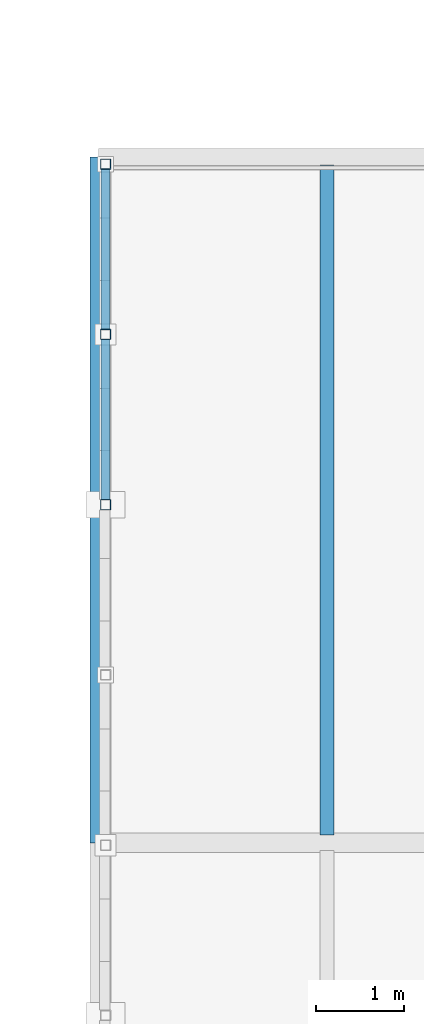
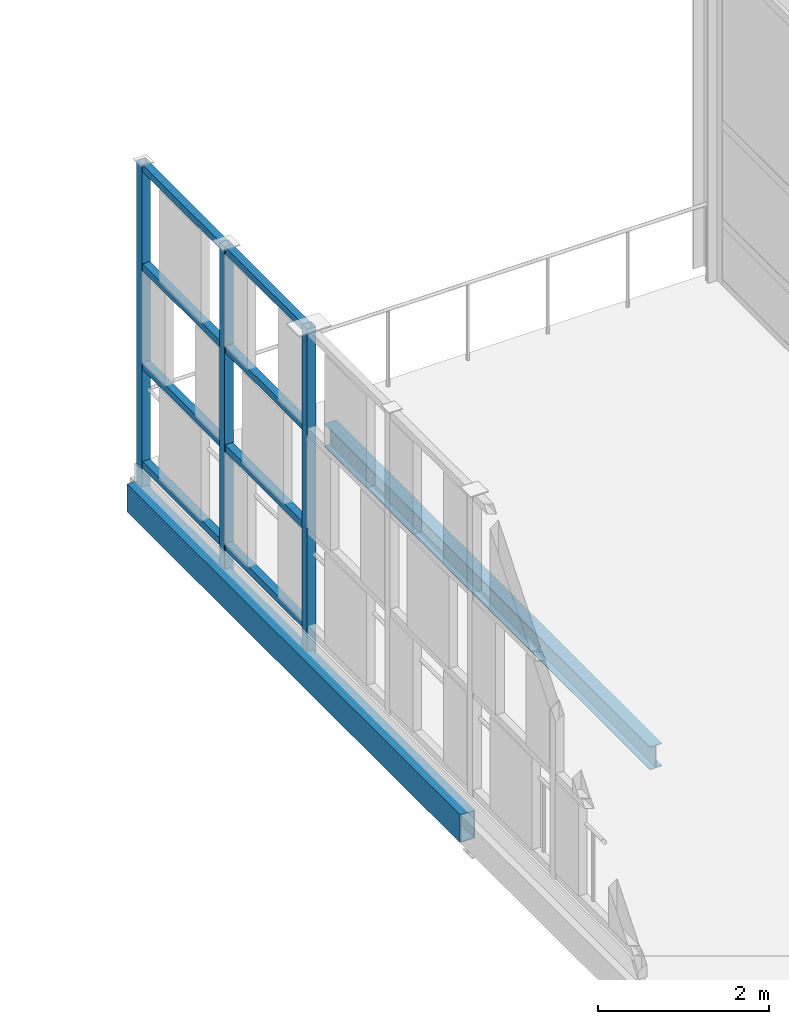
# One storey, part 53 of 138: 11 members, 2 beams.
"""IFC4 building model written with IfcOpenShell, lengths in metres."""

from ifc_helpers import new_model, si_unit, direction, frame, origin, origin_2d, place, context, subcontext, project, spatial, hollow_rectangle, i_section, extrude, material, material_profile, profile_set, type_object, element, save


model = new_model("IFC4")

# Units and contexts
model_context = context("Model", 3, precision=1e-05, world=origin(), true_north=direction((0.0, 1.0)))
body_context = subcontext(model_context, "Body", "Model", "MODEL_VIEW")
ifc_project = project(units=[si_unit("LENGTHUNIT", "METRE"), si_unit("AREAUNIT", "SQUARE_METRE"), si_unit("VOLUMEUNIT", "CUBIC_METRE"), si_unit("PLANEANGLEUNIT", "RADIAN"), si_unit("MASSUNIT", "GRAM", prefix="KILO")], contexts=[model_context])

# Site, building, storey
site_placement = place(None, origin())
site = spatial("IfcSite", under=ifc_project, at=site_placement, CompositionType="ELEMENT")
building_placement = place(site_placement, origin())
building = spatial("IfcBuilding", under=site, at=building_placement, Name="Celorna Specialist Clinic", CompositionType="ELEMENT")
storey_placement = place(building_placement, frame((0.0, 0.0, 4.800048828125)))
storey = spatial("IfcBuildingStorey", under=building, at=storey_placement, Name="L01", CompositionType="ELEMENT", Elevation=4.800048828125)

# Beams
ifc_material = material(Name="Steel S355", Category="steel")
ifc_material_profile_1 = material_profile(ifc_material, i_section(OverallWidth=0.159912109375, OverallDepth=0.330078125, WebThickness=0.007568359375, FlangeThickness=0.011474609375, at=origin_2d()), Name="IPE 330")
ifc_profile_set_1 = profile_set([ifc_material_profile_1], Name="Steel S355")
beam_type_1 = type_object("IfcBeamType", Name="BM-12", PredefinedType="JOIST", material=ifc_profile_set_1)
beam_1_placement = place(storey_placement, frame((127.39990234375, 75.68798828125, -0.425048828125), z_axis=(0.0, 1.0, 0.0), x_axis=(-1.0, 0.0, 0.0)))
element("IfcBeam", 1, at=beam_1_placement, inside=storey, type_object=beam_type_1, Name="Secondary floor joist BM-12 #2245", PredefinedType="JOIST", context=body_context, shape_type="SweptSolid", body=[
    extrude(i_section(OverallWidth=0.159912109375, OverallDepth=0.330078125, WebThickness=0.007568359375, FlangeThickness=0.011474609375, at=origin_2d()), origin(), (0.0, 0.0, 1.0), 7.6240234375),
])
ifc_material_profile_2 = material_profile(ifc_material, hollow_rectangle(XDim=0.199951171875, YDim=0.39990234375, WallThickness=0.011962890625, at=origin_2d()), Name="RHS 200x400x12")
ifc_profile_set_2 = profile_set([ifc_material_profile_2], Name="Steel S355")
beam_type_2 = type_object("IfcBeamType", Name="BM-15", PredefinedType="SPANDREL", material=ifc_profile_set_2)
beam_2_placement = place(storey_placement, frame((124.800048828125, 75.60009765625, -0.4599609375), z_axis=(0.0, 1.0, 0.0), x_axis=(-1.0, 0.0, 0.0)))
element("IfcBeam", 2, at=beam_2_placement, inside=storey, type_object=beam_type_2, Name="Spandrel beam BM-15 #2240", PredefinedType="SPANDREL", context=body_context, shape_type="SweptSolid", body=[
    extrude(hollow_rectangle(XDim=0.199951171875, YDim=0.39990234375, WallThickness=0.011962890625, at=origin_2d()), origin(), (0.0, 0.0, 1.0), 7.7998046875),
])

# Members
ifc_material_profile_3 = material_profile(ifc_material, hollow_rectangle(XDim=0.1201171875, YDim=0.1201171875, WallThickness=0.008056640625, at=origin_2d()), Name="SHS 120x120x8")
ifc_profile_set_3 = profile_set([ifc_material_profile_3], Name="Steel S355")
member_type_1 = type_object("IfcMemberType", Name="MB-11", PredefinedType="STUD", material=ifc_profile_set_3)
for number, where, z_axis, x_axis, name in (
    (3, (124.8798828125, 79.44677734375, -0.360107421875), (0.0, 0.0, 1.0), (1.0, 0.0, 0.0), "Perforated screen steel post #1909"),
    (4, (124.8798828125, 81.38330078125, -0.360107421875), (0.0, 0.0, 1.0), (1.0, 0.0, 0.0), "Perforated screen steel post #1910"),
    (5, (124.8798828125, 83.320068359375, -0.360107421875), (0.0, 0.0, 1.0), (1.0, 0.0, 0.0), "Perforated screen steel post #1911"),
):
    element("IfcMember", number, at=place(storey_placement, frame(where, z_axis=z_axis, x_axis=x_axis)), inside=storey, type_object=member_type_1, Name=name, PredefinedType="STUD", context=body_context, shape_type="SweptSolid", body=[
        extrude(hollow_rectangle(XDim=0.1201171875, YDim=0.1201171875, WallThickness=0.008056640625, at=origin_2d()), origin(), (0.0, 0.0, 1.0), 4.699951171875),
    ])
ifc_material_profile_4 = material_profile(ifc_material, hollow_rectangle(XDim=0.10009765625, YDim=0.10009765625, WallThickness=0.006103515625, at=origin_2d()), Name="SHS 100x100x6")
ifc_profile_set_4 = profile_set([ifc_material_profile_4], Name="Steel S355")
member_type_2 = type_object("IfcMemberType", Name="MB-12", PredefinedType="STUD", material=ifc_profile_set_4)
for number, where, z_axis, x_axis, name in (
    (6, (124.8798828125, 79.506591796875, 0.050048828125), (0.0, 1.0, 0.0), (-1.0, 0.0, 0.0), "Perforated screen rail #1952"),
    (7, (124.8798828125, 79.506591796875, 1.463134765625), (0.0, 1.0, 0.0), (-1.0, 0.0, 0.0), "Perforated screen rail #1953"),
    (8, (124.8798828125, 79.506591796875, 2.876708984375), (0.0, 1.0, 0.0), (-1.0, 0.0, 0.0), "Perforated screen rail #1954"),
    (9, (124.8798828125, 79.506591796875, 4.2900390625), (0.0, 1.0, 0.0), (-1.0, 0.0, 0.0), "Perforated screen rail #1955"),
    (10, (124.8798828125, 81.443359375, 0.050048828125), (0.0, 1.0, 0.0), (-1.0, 0.0, 0.0), "Perforated screen rail #1956"),
    (11, (124.8798828125, 81.443359375, 1.463134765625), (0.0, 1.0, 0.0), (-1.0, 0.0, 0.0), "Perforated screen rail #1957"),
    (12, (124.8798828125, 81.443359375, 2.876708984375), (0.0, 1.0, 0.0), (-1.0, 0.0, 0.0), "Perforated screen rail #1958"),
    (13, (124.8798828125, 81.443359375, 4.2900390625), (0.0, 1.0, 0.0), (-1.0, 0.0, 0.0), "Perforated screen rail #1959"),
):
    element("IfcMember", number, at=place(storey_placement, frame(where, z_axis=z_axis, x_axis=x_axis)), inside=storey, type_object=member_type_2, Name=name, PredefinedType="STUD", context=body_context, shape_type="SweptSolid", body=[
        extrude(hollow_rectangle(XDim=0.10009765625, YDim=0.10009765625, WallThickness=0.006103515625, at=origin_2d()), origin(), (0.0, 0.0, 1.0), 1.816650390625),
    ])

save(model, "model.ifc")
